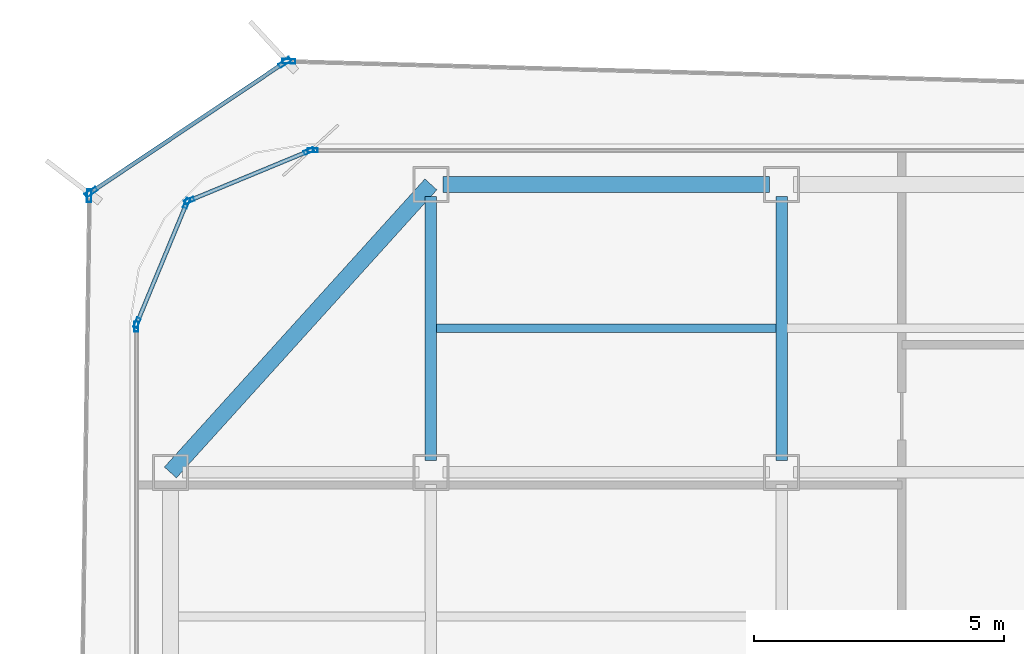
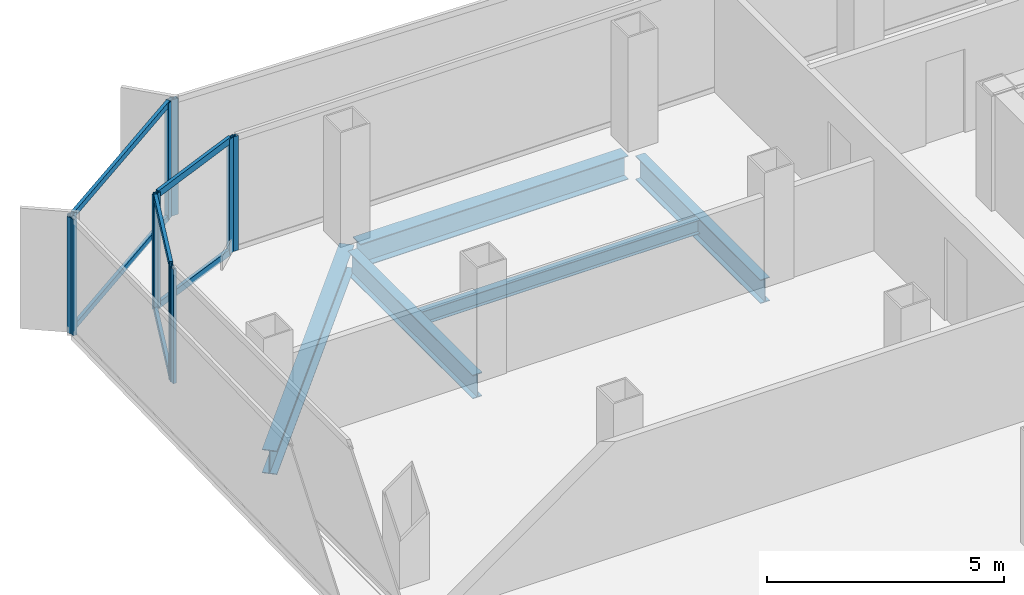
# One storey, part 6 of 16: 16 members, 5 beams, 7 elements without a shape of their own.
"""IFC4 building model written with IfcOpenShell, lengths in metres."""

from ifc_helpers import new_model, si_unit, direction, frame, origin, origin_2d, place, context, subcontext, project, spatial, hollow_rectangle, i_section, extrude, source, transform, mapped, material, layer, layer_set, material_profile, profile_set, type_object, element, aggregate, save


model = new_model("IFC4")

# Units and contexts
model_context = context("Model", 3, precision=1e-05, world=origin(), true_north=direction((0.0, 1.0)))
body_context = subcontext(model_context, "Body", "Model", "MODEL_VIEW")
ifc_project = project(units=[si_unit("LENGTHUNIT", "METRE"), si_unit("AREAUNIT", "SQUARE_METRE"), si_unit("VOLUMEUNIT", "CUBIC_METRE"), si_unit("PLANEANGLEUNIT", "RADIAN"), si_unit("MASSUNIT", "GRAM", prefix="KILO")], contexts=[model_context])

# Site, building, storey
site_placement = place(None, origin())
site = spatial("IfcSite", under=ifc_project, at=site_placement, CompositionType="ELEMENT")
building_placement = place(site_placement, origin())
building = spatial("IfcBuilding", under=site, at=building_placement, Name="Kolveth Station Tower", CompositionType="ELEMENT")
storey_placement = place(building_placement, frame((0.0, 0.0, 175.300048828125)))
storey = spatial("IfcBuildingStorey", under=building, at=storey_placement, Name="L49", CompositionType="ELEMENT", Elevation=175.300048828125)

# Beams
ifc_material_1 = material(Name="Steel S355", Category="steel")
ifc_material_profile_1 = material_profile(ifc_material_1, i_section(OverallWidth=0.323974609375, OverallDepth=0.611083984375, WebThickness=0.0126953125, FlangeThickness=0.01904296875, at=origin_2d()), Name="W610x155")
ifc_profile_set_1 = profile_set([ifc_material_profile_1], Name="Steel S355")
beam_type_1 = type_object("IfcBeamType", Name="Beam_SP2", PredefinedType="SPANDREL", material=ifc_profile_set_1)
shared_shape_1 = source(origin(), body_context, "Body", "SweptSolid", [
    extrude(i_section(OverallWidth=0.323974609375, OverallDepth=0.611083984375, WebThickness=0.0126953125, FlangeThickness=0.01904296875, at=origin_2d()), origin(), (0.0, 0.0, 1.0), 7.75244140625),
])
beam_1_placement = place(storey_placement, frame((6.0, 34.5, -0.5556640625), z_axis=(-0.670740965555, -0.74169168603, 0.0), x_axis=(0.74169168603, -0.670740965555, 0.0)))
element("IfcBeam", 1, at=beam_1_placement, inside=storey, type_object=beam_type_1, Name="L49 Corner Edge Girder BM-L49-CNR-NW", PredefinedType="SPANDREL", context=body_context, shape_type="MappedRepresentation", body=[
    mapped(shared_shape_1, transform((0.0, 0.0, 0.0), x_axis=(1.0, 0.0, 0.0), y_axis=(0.0, 1.0, 0.0), z_axis=(0.0, 0.0, 1.0), scale=1.0)),
])
shared_shape_2 = source(origin(), body_context, "Body", "SweptSolid", [
    extrude(i_section(OverallWidth=0.323974609375, OverallDepth=0.611083984375, WebThickness=0.0126953125, FlangeThickness=0.01904296875, at=origin_2d()), origin(), (0.0, 0.0, 1.0), 6.52001953125),
])
beam_2_placement = place(storey_placement, frame((6.239990234375, 34.5, -0.5556640625), z_axis=(1.0, 0.0, 0.0), x_axis=(0.0, 1.0, 0.0)))
element("IfcBeam", 2, at=beam_2_placement, inside=storey, type_object=beam_type_1, Name="L49 Perimeter Spandrel BM-L49-PN-1", PredefinedType="SPANDREL", context=body_context, shape_type="MappedRepresentation", body=[
    mapped(shared_shape_2, transform((0.0, 0.0, 0.0), x_axis=(1.0, 0.0, 0.0), y_axis=(0.0, 1.0, 0.0), z_axis=(0.0, 0.0, 1.0), scale=1.0)),
])
ifc_material_profile_2 = material_profile(ifc_material_1, i_section(OverallWidth=0.22900390625, OverallDepth=0.612060546875, WebThickness=0.011962890625, FlangeThickness=0.01953125, at=origin_2d()), Name="W610x125")
ifc_profile_set_2 = profile_set([ifc_material_profile_2], Name="Steel S355")
beam_type_2 = type_object("IfcBeamType", Name="Beam_B5", PredefinedType="BEAM", material=ifc_profile_set_2)
shared_shape_3 = source(origin(), body_context, "Body", "SweptSolid", [
    extrude(i_section(OverallWidth=0.22900390625, OverallDepth=0.612060546875, WebThickness=0.011962890625, FlangeThickness=0.01953125, at=origin_2d()), origin(), (0.0, 0.0, 1.0), 5.27001953125),
])
for number, where, z_axis, x_axis, name in (
    (3, (6.0, 28.989990234375, -0.55615234375), (0.0, 1.0, 0.0), (-1.0, 0.0, 0.0), "L49 Primary Girder BM-L49-GX60-6"),
    (4, (13.0, 28.989990234375, -0.55615234375), (0.0, 1.0, 0.0), (-1.0, 0.0, 0.0), "L49 Primary Girder BM-L49-GX130-6"),
):
    element("IfcBeam", number, at=place(storey_placement, frame(where, z_axis=z_axis, x_axis=x_axis)), inside=storey, type_object=beam_type_2, Name=name, PredefinedType="BEAM", context=body_context, shape_type="MappedRepresentation", body=[
        mapped(shared_shape_3, transform((0.0, 0.0, 0.0), x_axis=(1.0, 0.0, 0.0), y_axis=(0.0, 1.0, 0.0), z_axis=(0.0, 0.0, 1.0), scale=1.0)),
    ])
ifc_material_profile_3 = material_profile(ifc_material_1, i_section(OverallWidth=0.1708984375, OverallDepth=0.35205078125, WebThickness=0.0068359375, FlangeThickness=0.009765625, at=origin_2d()), Name="W360x44")
ifc_profile_set_3 = profile_set([ifc_material_profile_3], Name="Steel S355")
beam_type_3 = type_object("IfcBeamType", Name="Beam_J2", PredefinedType="JOIST", material=ifc_profile_set_3)
shared_shape_4 = source(origin(), body_context, "Body", "SweptSolid", [
    extrude(i_section(OverallWidth=0.1708984375, OverallDepth=0.35205078125, WebThickness=0.0068359375, FlangeThickness=0.009765625, at=origin_2d()), origin(), (0.0, 0.0, 1.0), 6.77490234375),
])
beam_3_placement = place(storey_placement, frame((6.112548828125, 31.625, -0.426025390625), z_axis=(1.0, 0.0, 0.0), x_axis=(0.0, 1.0, 0.0)))
element("IfcBeam", 5, at=beam_3_placement, inside=storey, type_object=beam_type_3, Name="L49 Secondary Joist JST-L49-2-6", PredefinedType="JOIST", context=body_context, shape_type="MappedRepresentation", body=[
    mapped(shared_shape_4, transform((0.0, 0.0, 0.0), x_axis=(1.0, 0.0, 0.0), y_axis=(0.0, 1.0, 0.0), z_axis=(0.0, 0.0, 1.0), scale=1.0)),
])

# Curtain wall, member
ifc_material_2 = material(Name="Aluminium 6063-T6 and low-E dark glass", Category="aluminium")
ifc_layer_1 = layer(ifc_material_2, 0.18994140625)
ifc_layer_set_1 = layer_set([ifc_layer_1], Name="Aluminium 6063-T6 and low-E dark glass")
curtain_wall_type_1 = type_object("IfcCurtainWallType", Name="CurtainWall_CW-Z2", PredefinedType="NOTDEFINED", material=ifc_layer_set_1)
curtain_wall_1_placement = place(storey_placement, origin())
curtain_wall_1 = element("IfcCurtainWall", 6, at=curtain_wall_1_placement, inside=storey, type_object=curtain_wall_type_1, Name="L49 Inner Thermal Curtain Wall 6", PredefinedType="NOTDEFINED")
ifc_material_3 = material(Name="Black anodized aluminium 6063-T6", Category="aluminium")
ifc_material_profile_4 = material_profile(ifc_material_3, hollow_rectangle(XDim=0.080078125, YDim=0.199951171875, WallThickness=0.0048828125, at=origin_2d()), Name="ALU-80x200x5")
ifc_profile_set_4 = profile_set([ifc_material_profile_4], Name="Black anodized aluminium 6063-T6")
member_type_1 = type_object("IfcMemberType", Name="Mullion_ML2", PredefinedType="MULLION", material=ifc_profile_set_4)
shared_shape_5 = source(origin(), body_context, "Body", "SweptSolid", [
    extrude(hollow_rectangle(XDim=0.080078125, YDim=0.199951171875, WallThickness=0.0048828125, at=origin_2d()), origin(), (0.0, 0.0, 1.0), 2.949951171875),
])
member_1_placement = place(storey_placement, frame((3.639892578125, 35.179931640625, 0.0), z_axis=(0.0, 0.0, 1.0), x_axis=(0.0, -1.0, 0.0)))
member_1 = element("IfcMember", 7, at=member_1_placement, type_object=member_type_1, Name="CW-Z2 mullion 2", PredefinedType="MULLION", context=body_context, shape_type="MappedRepresentation", body=[
    mapped(shared_shape_5, transform((0.0, 0.0, 0.0), x_axis=(1.0, 0.0, 0.0), y_axis=(0.0, 1.0, 0.0), z_axis=(0.0, 0.0, 1.0), scale=1.0)),
])
aggregate(curtain_wall_1, [member_1])

# Curtain wall, members
curtain_wall_2_placement = place(storey_placement, origin())
curtain_wall_2 = element("IfcCurtainWall", 8, at=curtain_wall_2_placement, inside=storey, type_object=curtain_wall_type_1, Name="L49 Inner Thermal Curtain Wall 7", PredefinedType="NOTDEFINED")
member_2_placement = place(storey_placement, frame((3.56298828125, 35.164794921875, 0.0), z_axis=(0.0, 0.0, 1.0), x_axis=(0.382697753087, -0.923873600544, 0.0)))
member_2 = element("IfcMember", 9, at=member_2_placement, type_object=member_type_1, Name="CW-Z2 mullion 1", PredefinedType="MULLION", context=body_context, shape_type="MappedRepresentation", body=[
    mapped(shared_shape_5, transform((0.0, 0.0, 0.0), x_axis=(1.0, 0.0, 0.0), y_axis=(0.0, 1.0, 0.0), z_axis=(0.0, 0.0, 1.0), scale=1.0)),
])
member_3_placement = place(storey_placement, frame((1.17626953125, 34.176025390625, 0.0), z_axis=(0.0, 0.0, 1.0), x_axis=(0.382697753087, -0.923873600544, 0.0)))
member_3 = element("IfcMember", 10, at=member_3_placement, type_object=member_type_1, Name="CW-Z2 mullion 2", PredefinedType="MULLION", context=body_context, shape_type="MappedRepresentation", body=[
    mapped(shared_shape_5, transform((0.0, 0.0, 0.0), x_axis=(1.0, 0.0, 0.0), y_axis=(0.0, 1.0, 0.0), z_axis=(0.0, 0.0, 1.0), scale=1.0)),
])

curtain_wall_3_placement = place(storey_placement, origin())
curtain_wall_3 = element("IfcCurtainWall", 11, at=curtain_wall_3_placement, inside=storey, type_object=curtain_wall_type_1, Name="L49 Inner Thermal Curtain Wall 8", PredefinedType="NOTDEFINED")
member_4_placement = place(storey_placement, frame((1.1240234375, 34.123779296875, 0.0), z_axis=(0.0, 0.0, 1.0), x_axis=(0.923873600544, -0.382697753087, 0.0)))
member_4 = element("IfcMember", 12, at=member_4_placement, type_object=member_type_1, Name="CW-Z2 mullion 1", PredefinedType="MULLION", context=body_context, shape_type="MappedRepresentation", body=[
    mapped(shared_shape_5, transform((0.0, 0.0, 0.0), x_axis=(1.0, 0.0, 0.0), y_axis=(0.0, 1.0, 0.0), z_axis=(0.0, 0.0, 1.0), scale=1.0)),
])
member_5_placement = place(storey_placement, frame((0.13525390625, 31.737060546875, 0.0), z_axis=(0.0, 0.0, 1.0), x_axis=(0.923873600544, -0.382697753087, 0.0)))
member_5 = element("IfcMember", 13, at=member_5_placement, type_object=member_type_1, Name="CW-Z2 mullion 2", PredefinedType="MULLION", context=body_context, shape_type="MappedRepresentation", body=[
    mapped(shared_shape_5, transform((0.0, 0.0, 0.0), x_axis=(1.0, 0.0, 0.0), y_axis=(0.0, 1.0, 0.0), z_axis=(0.0, 0.0, 1.0), scale=1.0)),
])

# Curtain wall, member
curtain_wall_4_placement = place(storey_placement, origin())
curtain_wall_4 = element("IfcCurtainWall", 14, at=curtain_wall_4_placement, inside=storey, type_object=curtain_wall_type_1, Name="L49 Inner Thermal Curtain Wall 9", PredefinedType="NOTDEFINED")
member_6_placement = place(storey_placement, frame((0.1201171875, 31.659912109375, 0.0), z_axis=(0.0, 0.0, 1.0), x_axis=(1.0, 0.0, 0.0)))
member_6 = element("IfcMember", 15, at=member_6_placement, type_object=member_type_1, Name="CW-Z2 mullion 1", PredefinedType="MULLION", context=body_context, shape_type="MappedRepresentation", body=[
    mapped(shared_shape_5, transform((0.0, 0.0, 0.0), x_axis=(1.0, 0.0, 0.0), y_axis=(0.0, 1.0, 0.0), z_axis=(0.0, 0.0, 1.0), scale=1.0)),
])
aggregate(curtain_wall_4, [member_6])

ifc_material_4 = material(Name="Black anodized aluminium 6063-T6 and dark solar glass", Category="aluminium")
ifc_layer_2 = layer(ifc_material_4, 0.159912109375)
ifc_layer_set_2 = layer_set([ifc_layer_2], Name="Black anodized aluminium 6063-T6 and dark solar glass")
curtain_wall_type_2 = type_object("IfcCurtainWallType", Name="OUTER SKIN CW-OS", PredefinedType="NOTDEFINED", material=ifc_layer_set_2)
curtain_wall_5_placement = place(storey_placement, origin())
curtain_wall_5 = element("IfcCurtainWall", 16, at=curtain_wall_5_placement, inside=storey, type_object=curtain_wall_type_2, Name="L49 Outer Ventilated Skin Curtain Wall 4", PredefinedType="NOTDEFINED")
ifc_material_profile_5 = material_profile(ifc_material_3, hollow_rectangle(XDim=0.090087890625, YDim=0.260009765625, WallThickness=0.0048828125, at=origin_2d()), Name="ALU-90x260x5")
ifc_profile_set_5 = profile_set([ifc_material_profile_5], Name="Black anodized aluminium 6063-T6")
member_type_2 = type_object("IfcMemberType", Name="FIN MULLION ML-OS", PredefinedType="MULLION", material=ifc_profile_set_5)
shared_shape_6 = source(origin(), body_context, "Body", "SweptSolid", [
    extrude(hollow_rectangle(XDim=0.090087890625, YDim=0.260009765625, WallThickness=0.0048828125, at=origin_2d()), origin(), (0.0, 0.0, 1.0), 2.989990234375),
])
member_7_placement = place(storey_placement, frame((3.165283203125, 36.958251953125, 0.0), z_axis=(0.0, 0.0, 1.0), x_axis=(-0.027550756321, -0.999620405867, 0.0)))
member_7 = element("IfcMember", 17, at=member_7_placement, type_object=member_type_2, Name="CW-OS mullion 2", PredefinedType="MULLION", context=body_context, shape_type="MappedRepresentation", body=[
    mapped(shared_shape_6, transform((0.0, 0.0, 0.0), x_axis=(1.0, 0.0, 0.0), y_axis=(0.0, 1.0, 0.0), z_axis=(0.0, 0.0, 1.0), scale=1.0)),
])
aggregate(curtain_wall_5, [member_7])

# Curtain wall, members
curtain_wall_6_placement = place(storey_placement, origin())
curtain_wall_6 = element("IfcCurtainWall", 18, at=curtain_wall_6_placement, inside=storey, type_object=curtain_wall_type_2, Name="L49 Outer Ventilated Skin Curtain Wall 5", PredefinedType="NOTDEFINED")
member_8_placement = place(storey_placement, frame((3.0830078125, 36.934326171875, 0.0), z_axis=(0.0, 0.0, 1.0), x_axis=(0.556756902743, -0.830675478901, 0.0)))
member_8 = element("IfcMember", 19, at=member_8_placement, type_object=member_type_2, Name="CW-OS mullion 1", PredefinedType="MULLION", context=body_context, shape_type="MappedRepresentation", body=[
    mapped(shared_shape_6, transform((0.0, 0.0, 0.0), x_axis=(1.0, 0.0, 0.0), y_axis=(0.0, 1.0, 0.0), z_axis=(0.0, 0.0, 1.0), scale=1.0)),
])
member_9_placement = place(storey_placement, frame((-0.78173828125, 34.34423828125, 0.0), z_axis=(0.0, 0.0, 1.0), x_axis=(0.556756902743, -0.830675478901, 0.0)))
member_9 = element("IfcMember", 20, at=member_9_placement, type_object=member_type_2, Name="CW-OS mullion 2", PredefinedType="MULLION", context=body_context, shape_type="MappedRepresentation", body=[
    mapped(shared_shape_6, transform((0.0, 0.0, 0.0), x_axis=(1.0, 0.0, 0.0), y_axis=(0.0, 1.0, 0.0), z_axis=(0.0, 0.0, 1.0), scale=1.0)),
])

# Curtain wall, member
curtain_wall_7_placement = place(storey_placement, origin())
curtain_wall_7 = element("IfcCurtainWall", 21, at=curtain_wall_7_placement, inside=storey, type_object=curtain_wall_type_2, Name="L49 Outer Ventilated Skin Curtain Wall 6", PredefinedType="NOTDEFINED")
member_10_placement = place(storey_placement, frame((-0.819580078125, 34.274169921875, 0.0), z_axis=(0.0, 0.0, 1.0), x_axis=(0.999892027196, -0.014694691188, 0.0)))
member_10 = element("IfcMember", 22, at=member_10_placement, type_object=member_type_2, Name="CW-OS mullion 1", PredefinedType="MULLION", context=body_context, shape_type="MappedRepresentation", body=[
    mapped(shared_shape_6, transform((0.0, 0.0, 0.0), x_axis=(1.0, 0.0, 0.0), y_axis=(0.0, 1.0, 0.0), z_axis=(0.0, 0.0, 1.0), scale=1.0)),
])
aggregate(curtain_wall_7, [member_10])

# Member
ifc_material_profile_6 = material_profile(ifc_material_3, hollow_rectangle(XDim=0.080078125, YDim=0.169921875, WallThickness=0.0048828125, at=origin_2d()), Name="ALU-80x170x5")
ifc_profile_set_6 = profile_set([ifc_material_profile_6], Name="Black anodized aluminium 6063-T6")
member_type_3 = type_object("IfcMemberType", Name="Transom_TR2", PredefinedType="USERDEFINED", material=ifc_profile_set_6)
shared_shape_7 = source(origin(), body_context, "Body", "SweptSolid", [
    extrude(hollow_rectangle(XDim=0.080078125, YDim=0.169921875, WallThickness=0.0048828125, at=origin_2d()), origin(), (0.0, 0.0, 1.0), 2.50341796875),
])
member_11_placement = place(storey_placement, frame((3.526123046875, 35.1494140625, 0.0400390625), z_axis=(-0.923888472039, -0.382661849723, 0.0), x_axis=(0.382661849723, -0.923888472039, 0.0)))
member_11 = element("IfcMember", 23, at=member_11_placement, type_object=member_type_3, Name="CW-Z2 transom 1.1", ObjectType="TRANSOM", PredefinedType="USERDEFINED", context=body_context, shape_type="MappedRepresentation", body=[
    mapped(shared_shape_7, transform((0.0, 0.0, 0.0), x_axis=(1.0, 0.0, 0.0), y_axis=(0.0, 1.0, 0.0), z_axis=(0.0, 0.0, 1.0), scale=1.0)),
])

member_12_placement = place(storey_placement, frame((3.526123046875, 35.1494140625, 2.909912109375), z_axis=(-0.923888472039, -0.382661849723, 0.0), x_axis=(0.382661849723, -0.923888472039, 0.0)))
member_12 = element("IfcMember", 24, at=member_12_placement, type_object=member_type_3, Name="CW-Z2 transom 1.2", ObjectType="TRANSOM", PredefinedType="USERDEFINED", context=body_context, shape_type="MappedRepresentation", body=[
    mapped(shared_shape_7, transform((0.0, 0.0, 0.0), x_axis=(1.0, 0.0, 0.0), y_axis=(0.0, 1.0, 0.0), z_axis=(0.0, 0.0, 1.0), scale=1.0)),
])

aggregate(curtain_wall_2, [member_2, member_3, member_11, member_12])

member_13_placement = place(storey_placement, frame((1.108642578125, 34.086669921875, 0.0400390625), z_axis=(-0.382696328882, -0.923874190494, 0.0), x_axis=(0.923874190494, -0.382696328882, 0.0)))
member_13 = element("IfcMember", 25, at=member_13_placement, type_object=member_type_3, Name="CW-Z2 transom 1.1", ObjectType="TRANSOM", PredefinedType="USERDEFINED", context=body_context, shape_type="MappedRepresentation", body=[
    mapped(shared_shape_7, transform((0.0, 0.0, 0.0), x_axis=(1.0, 0.0, 0.0), y_axis=(0.0, 1.0, 0.0), z_axis=(0.0, 0.0, 1.0), scale=1.0)),
])

member_14_placement = place(storey_placement, frame((1.108642578125, 34.086669921875, 2.909912109375), z_axis=(-0.382696328882, -0.923874190494, 0.0), x_axis=(0.923874190494, -0.382696328882, 0.0)))
member_14 = element("IfcMember", 26, at=member_14_placement, type_object=member_type_3, Name="CW-Z2 transom 1.2", ObjectType="TRANSOM", PredefinedType="USERDEFINED", context=body_context, shape_type="MappedRepresentation", body=[
    mapped(shared_shape_7, transform((0.0, 0.0, 0.0), x_axis=(1.0, 0.0, 0.0), y_axis=(0.0, 1.0, 0.0), z_axis=(0.0, 0.0, 1.0), scale=1.0)),
])

aggregate(curtain_wall_3, [member_4, member_5, member_13, member_14])

ifc_material_profile_7 = material_profile(ifc_material_3, hollow_rectangle(XDim=0.080078125, YDim=0.14990234375, WallThickness=0.0048828125, at=origin_2d()), Name="ALU-80x150x5")
ifc_profile_set_7 = profile_set([ifc_material_profile_7], Name="Black anodized aluminium 6063-T6")
member_type_4 = type_object("IfcMemberType", Name="Transom_TR-OS", PredefinedType="USERDEFINED", material=ifc_profile_set_7)
shared_shape_8 = source(origin(), body_context, "Body", "SweptSolid", [
    extrude(hollow_rectangle(XDim=0.080078125, YDim=0.14990234375, WallThickness=0.0048828125, at=origin_2d()), origin(), (0.0, 0.0, 1.0), 4.562255859375),
])
member_15_placement = place(storey_placement, frame((3.045654296875, 36.909423828125, 0.0400390625), z_axis=(-0.830681131281, -0.556748469358, 0.0), x_axis=(0.556748469358, -0.830681131281, 0.0)))
member_15 = element("IfcMember", 27, at=member_15_placement, type_object=member_type_4, Name="CW-OS transom 1.1", ObjectType="TRANSOM", PredefinedType="USERDEFINED", context=body_context, shape_type="MappedRepresentation", body=[
    mapped(shared_shape_8, transform((0.0, 0.0, 0.0), x_axis=(1.0, 0.0, 0.0), y_axis=(0.0, 1.0, 0.0), z_axis=(0.0, 0.0, 1.0), scale=1.0)),
])

member_16_placement = place(storey_placement, frame((3.045654296875, 36.909423828125, 2.949951171875), z_axis=(-0.830681131281, -0.556748469358, 0.0), x_axis=(0.556748469358, -0.830681131281, 0.0)))
member_16 = element("IfcMember", 28, at=member_16_placement, type_object=member_type_4, Name="CW-OS transom 1.2", ObjectType="TRANSOM", PredefinedType="USERDEFINED", context=body_context, shape_type="MappedRepresentation", body=[
    mapped(shared_shape_8, transform((0.0, 0.0, 0.0), x_axis=(1.0, 0.0, 0.0), y_axis=(0.0, 1.0, 0.0), z_axis=(0.0, 0.0, 1.0), scale=1.0)),
])

aggregate(curtain_wall_6, [member_8, member_9, member_15, member_16])

save(model, "model.ifc")
